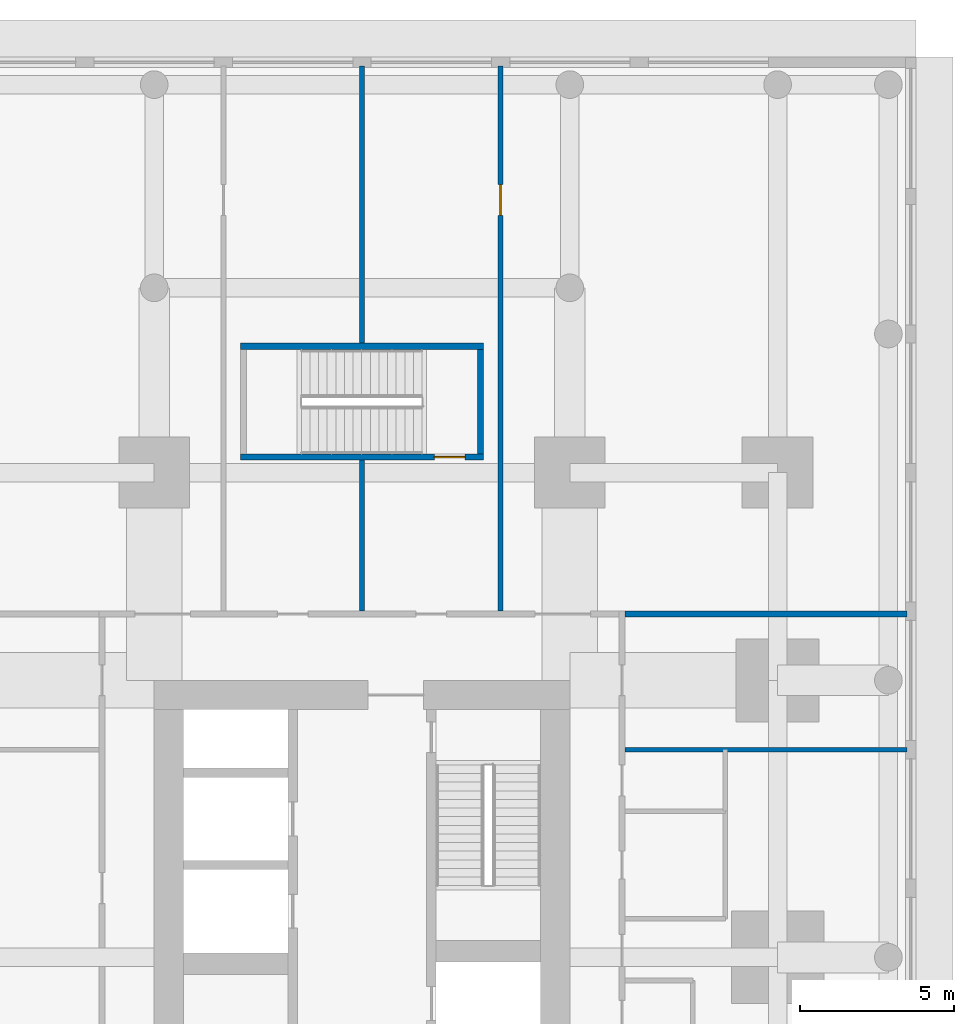
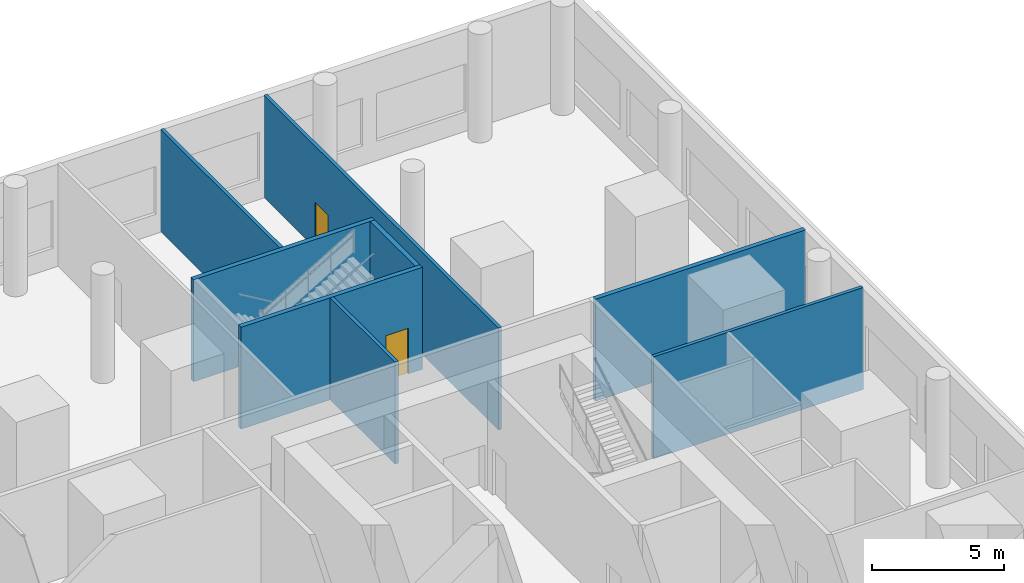
# One storey, part 17 of 22: 8 walls, 2 doors, 2 openings.
"""IFC4 building model written with IfcOpenShell, lengths in metres."""

from ifc_helpers import new_model, si_unit, direction, frame, frame_2d, origin, place, context, subcontext, project, spatial, rectangle, extrude, material, layer, layer_set, type_object, element, fill, save


model = new_model("IFC4")

# Units and contexts
model_context = context("Model", 3, precision=1e-05, world=origin(), true_north=direction((0.0, 1.0)))
body_context = subcontext(model_context, "Body", "Model", "MODEL_VIEW")
ifc_project = project(units=[si_unit("LENGTHUNIT", "METRE"), si_unit("AREAUNIT", "SQUARE_METRE"), si_unit("VOLUMEUNIT", "CUBIC_METRE"), si_unit("PLANEANGLEUNIT", "RADIAN"), si_unit("MASSUNIT", "GRAM", prefix="KILO")], contexts=[model_context])

# Site, building, storey
site_placement = place(None, origin())
site = spatial("IfcSite", under=ifc_project, at=site_placement, CompositionType="ELEMENT")
building_placement = place(site_placement, origin())
building = spatial("IfcBuilding", under=site, at=building_placement, Name="Namib Vertical Campus", CompositionType="ELEMENT")
storey_placement = place(building_placement, frame((0.0, 0.0, 11.0)))
storey = spatial("IfcBuildingStorey", under=building, at=storey_placement, Name="L02", CompositionType="ELEMENT", Elevation=11.0)

# Walls
ifc_material_1 = material(Name="Concrete masonry", Category="masonry")
ifc_layer_1 = layer(ifc_material_1, 0.199951171875)
ifc_layer_set_1 = layer_set([ifc_layer_1], Name="Corridor wall 200")
wall_type_1 = type_object("IfcWallType", Name="Corridor wall 200", PredefinedType="SOLIDWALL", material=ifc_layer_set_1)
wall_1_placement = place(storey_placement, frame((89.550048828125, 31.39990234375, 0.0), z_axis=(0.0, 0.0, 1.0), x_axis=(1.0, 0.0, 0.0)))
element("IfcWall", 1, at=wall_1_placement, inside=storey, type_object=wall_type_1, Name="Partition B L02 BNE", PredefinedType="SOLIDWALL", context=body_context, shape_type="SweptSolid", body=[
    extrude(rectangle(XDim=9.14990234375, YDim=0.199951171875, at=frame_2d((4.574951171875, 0.0))), origin(), (0.0, 0.0, 1.0), 4.699951171875),
])
ifc_material_2 = material(Name="Gypsum board on steel studs", Category="steel")
ifc_layer_2 = layer(ifc_material_2, 0.14990234375)
ifc_layer_set_2 = layer_set([ifc_layer_2], Name="Gypsum board on steel studs")
wall_type_2 = type_object("IfcWallType", Name="Partition 150", PredefinedType="PARTITIONING", material=ifc_layer_set_2)
wall_2_placement = place(storey_placement, frame((81.0, 31.5, 0.0), z_axis=(0.0, 0.0, 1.0), x_axis=(0.0, 1.0, 0.0)))
element("IfcWall", 2, at=wall_2_placement, inside=storey, type_object=wall_type_2, Name="Partition B L02 PN3", PredefinedType="PARTITIONING", context=body_context, shape_type="SweptSolid", body=[
    extrude(rectangle(XDim=4.89990234375, YDim=0.14990234375, at=frame_2d((2.449951171875, 0.0))), origin(), (0.0, 0.0, 1.0), 4.699951171875),
])
wall_3_placement = place(storey_placement, frame((81.0, 40.199951171875, 0.0), z_axis=(0.0, 0.0, 1.0), x_axis=(0.0, 1.0, 0.0)))
element("IfcWall", 3, at=wall_3_placement, inside=storey, type_object=wall_type_2, Name="Partition B L02 PN3", PredefinedType="PARTITIONING", context=body_context, shape_type="SweptSolid", body=[
    extrude(rectangle(XDim=9.0, YDim=0.14990234375, at=frame_2d((4.5, 0.0))), origin(), (0.0, 0.0, 1.0), 4.699951171875),
])

# Wall, opening, door
wall_4_placement = place(storey_placement, frame((85.5, 31.5, 0.0), z_axis=(0.0, 0.0, 1.0), x_axis=(0.0, 1.0, 0.0)))
wall_4 = element("IfcWall", 4, at=wall_4_placement, inside=storey, type_object=wall_type_2, Name="Partition B L02 PN2", PredefinedType="PARTITIONING", context=body_context, shape_type="SweptSolid", body=[
    extrude(rectangle(XDim=17.699951171875, YDim=0.14990234375, at=frame_2d((8.85009765625, 0.0))), origin(), (0.0, 0.0, 1.0), 4.699951171875),
])
opening_1_placement = place(wall_4_placement, frame((12.85009765625, 0.0, 0.0)))
opening_1 = element("IfcOpeningElement", 5, at=opening_1_placement, cuts=wall_4, Name="Opening D1", PredefinedType="OPENING", context=body_context, shape_type="SweptSolid", body=[
    extrude(rectangle(XDim=1.0, YDim=2.10009765625, at=frame_2d((0.5, 1.050048828125))), frame((0.0, 0.0849609375, 0.0), z_axis=(0.0, -1.0, 0.0), x_axis=(1.0, 0.0, 0.0)), (0.0, 0.0, 1.0), 0.169921875),
])
ifc_material_3 = material(Name="Timber door leaf", Category="wood")
door_type_1 = type_object("IfcDoorType", Name="Door single 1000x2100", OperationType="SINGLE_SWING_LEFT", PredefinedType="DOOR", material=ifc_material_3)
door_1_placement = place(opening_1_placement, origin())
door_1 = element("IfcDoor", 6, at=door_1_placement, inside=storey, type_object=door_type_1, Name="Door D1 B02-21", OperationType="SINGLE_SWING_LEFT", OverallHeight=2.10009765625, OverallWidth=1.0, PredefinedType="DOOR", context=body_context, shape_type="SweptSolid", body=[
    extrude(rectangle(XDim=1.0, YDim=2.10009765625, at=frame_2d((0.5, 1.050048828125))), frame((0.0, 0.02490234375, 0.0), z_axis=(0.0, -1.0, 0.0), x_axis=(1.0, 0.0, 0.0)), (0.0, 0.0, 1.0), 0.050048828125),
])
fill(opening_1, door_1)

# Wall
wall_5_placement = place(storey_placement, frame((89.550048828125, 27.0, 0.0), z_axis=(0.0, 0.0, 1.0), x_axis=(1.0, 0.0, 0.0)))
element("IfcWall", 7, at=wall_5_placement, inside=storey, type_object=wall_type_2, Name="Partition B L02 PE2", PredefinedType="PARTITIONING", context=body_context, shape_type="SweptSolid", body=[
    extrude(rectangle(XDim=9.14990234375, YDim=0.14990234375, at=frame_2d((4.574951171875, 0.0))), origin(), (0.0, 0.0, 1.0), 4.699951171875),
])

# Wall, opening, door
ifc_material_4 = material(Name="Concrete C40/50", Category="concrete")
ifc_layer_3 = layer(ifc_material_4, 0.199951171875)
ifc_layer_set_3 = layer_set([ifc_layer_3], Name="Concrete C40/50")
wall_type_3 = type_object("IfcWallType", Name="Stair enclosure wall RC 200", PredefinedType="SOLIDWALL", material=ifc_layer_set_3)
wall_6_placement = place(storey_placement, frame((77.050048828125, 36.5, 0.0), z_axis=(0.0, 0.0, 1.0), x_axis=(1.0, 0.0, 0.0)))
wall_6 = element("IfcWall", 8, at=wall_6_placement, inside=storey, type_object=wall_type_3, Name="Stair enclosure wall B-S3 L02 S", PredefinedType="SOLIDWALL", context=body_context, shape_type="SweptSolid", body=[
    extrude(rectangle(XDim=7.89990234375, YDim=0.199951171875, at=frame_2d((3.949951171875, 0.0))), origin(), (0.0, 0.0, 1.0), 4.699951171875),
])
opening_2_placement = place(wall_6_placement, frame((6.300048828125, 0.0, 0.0)))
opening_2 = element("IfcOpeningElement", 9, at=opening_2_placement, cuts=wall_6, Name="Opening FD1", PredefinedType="OPENING", context=body_context, shape_type="SweptSolid", body=[
    extrude(rectangle(XDim=1.0, YDim=2.10009765625, at=frame_2d((0.5, 1.050048828125))), frame((0.0, 0.10986328125, 0.0), z_axis=(0.0, -1.0, 0.0), x_axis=(1.0, 0.0, 0.0)), (0.0, 0.0, 1.0), 0.219970703125),
])
ifc_material_5 = material(Name="Steel fire door", Category="steel")
door_type_2 = type_object("IfcDoorType", Name="Fire door 1000x2100", OperationType="SINGLE_SWING_RIGHT", PredefinedType="DOOR", material=ifc_material_5)
door_2_placement = place(opening_2_placement, origin())
door_2 = element("IfcDoor", 10, at=door_2_placement, inside=storey, type_object=door_type_2, Name="Stair door FD1 B L02 S3", OperationType="SINGLE_SWING_RIGHT", OverallHeight=2.10009765625, OverallWidth=1.0, PredefinedType="DOOR", context=body_context, shape_type="SweptSolid", body=[
    extrude(rectangle(XDim=1.0, YDim=2.10009765625, at=frame_2d((0.5, 1.050048828125))), frame((0.0, 0.02490234375, 0.0), z_axis=(0.0, -1.0, 0.0), x_axis=(1.0, 0.0, 0.0)), (0.0, 0.0, 1.0), 0.050048828125),
])
fill(opening_2, door_2)

# Walls
wall_7_placement = place(storey_placement, frame((77.050048828125, 40.10009765625, 0.0), z_axis=(0.0, 0.0, 1.0), x_axis=(1.0, 0.0, 0.0)))
element("IfcWall", 11, at=wall_7_placement, inside=storey, type_object=wall_type_3, Name="Stair enclosure wall B-S3 L02 N", PredefinedType="SOLIDWALL", context=body_context, shape_type="SweptSolid", body=[
    extrude(rectangle(XDim=7.89990234375, YDim=0.199951171875, at=frame_2d((3.949951171875, 0.0))), origin(), (0.0, 0.0, 1.0), 4.699951171875),
])
wall_8_placement = place(storey_placement, frame((84.85009765625, 36.60009765625, 0.0), z_axis=(0.0, 0.0, 1.0), x_axis=(0.0, 1.0, 0.0)))
element("IfcWall", 12, at=wall_8_placement, inside=storey, type_object=wall_type_3, Name="Stair enclosure wall B-S3 L02 E", PredefinedType="SOLIDWALL", context=body_context, shape_type="SweptSolid", body=[
    extrude(rectangle(XDim=3.39990234375, YDim=0.199951171875, at=frame_2d((1.699951171875, 0.0))), origin(), (0.0, 0.0, 1.0), 4.699951171875),
])

save(model, "model.ifc")
